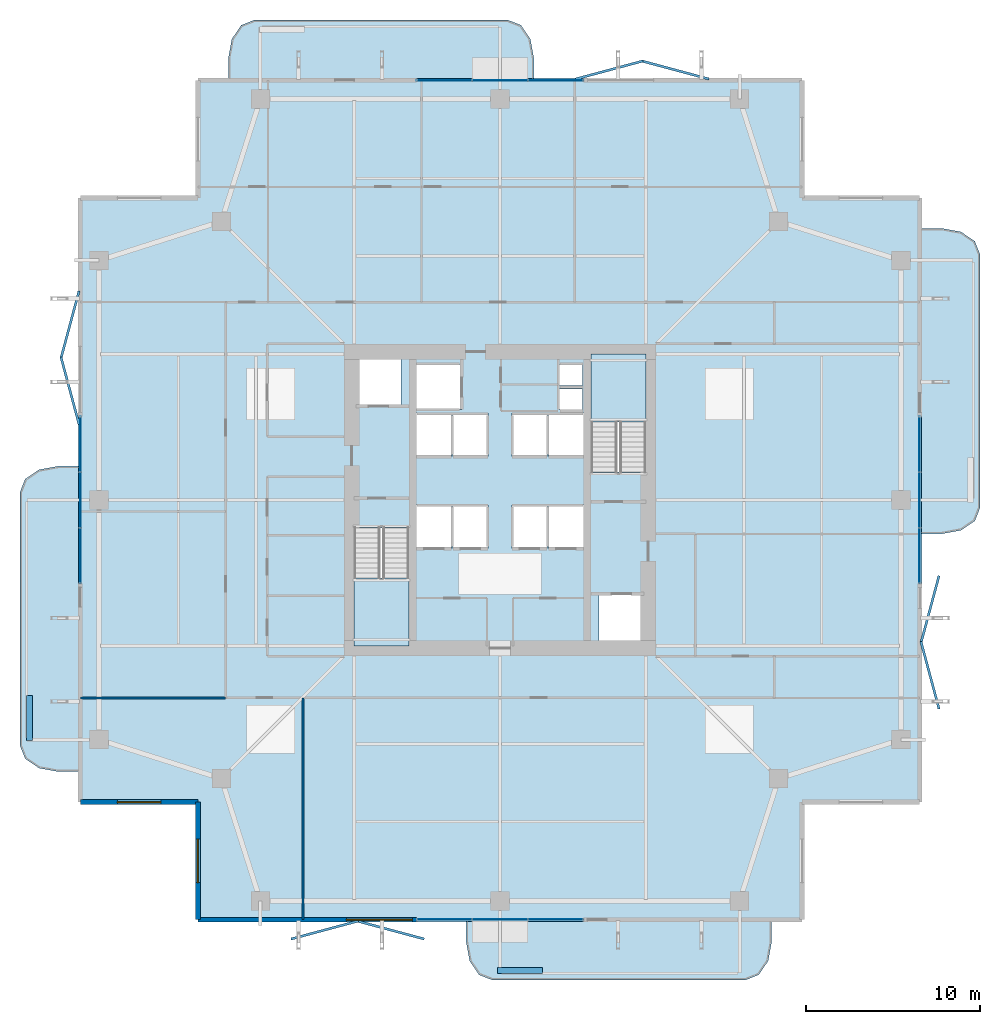
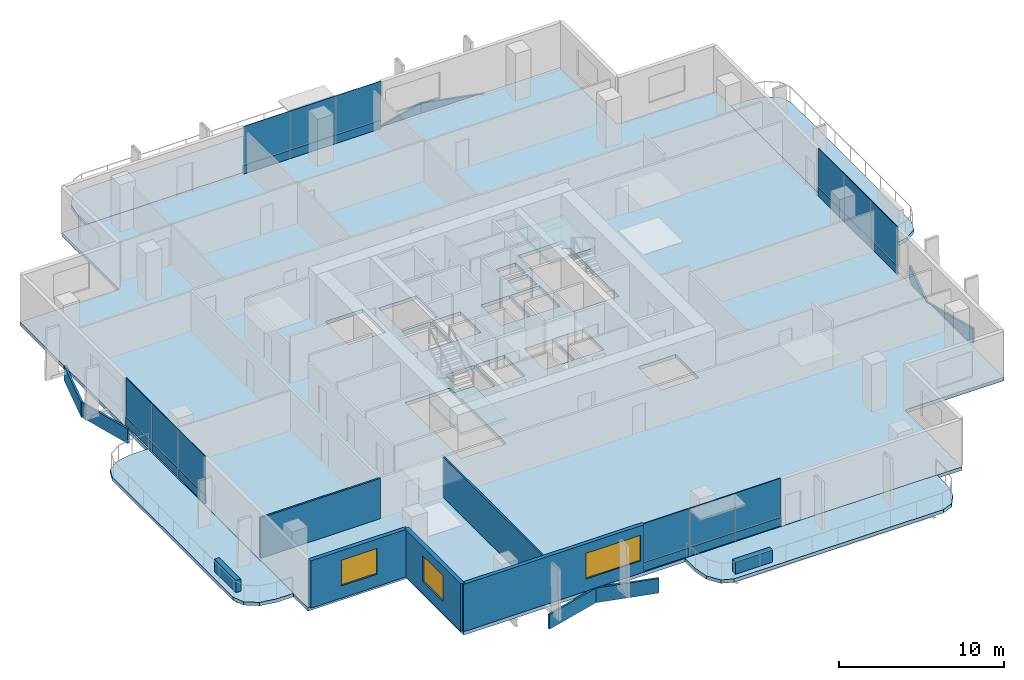
# One storey, part 17 of 25: 32 plates, 7 slabs, 7 walls, 3 windows, 3 openings, 6 elements without a shape of their own.
"""IFC4 building model written with IfcOpenShell, lengths in metres."""

from ifc_helpers import new_model, si_unit, direction, frame, frame_2d, origin, origin_2d, place, context, subcontext, project, spatial, polyline, rectangle, outline, extrude, material, layer, layer_set, type_object, element, fill, aggregate, save


model = new_model("IFC4")

# Units and contexts
model_context = context("Model", 3, precision=1e-05, world=origin(), true_north=direction((0.0, 1.0)))
body_context = subcontext(model_context, "Body", "Model", "MODEL_VIEW")
ifc_project = project(units=[si_unit("LENGTHUNIT", "METRE"), si_unit("AREAUNIT", "SQUARE_METRE"), si_unit("VOLUMEUNIT", "CUBIC_METRE"), si_unit("PLANEANGLEUNIT", "RADIAN"), si_unit("MASSUNIT", "GRAM", prefix="KILO")], contexts=[model_context])

# Site, building, storey
site_placement = place(None, origin())
site = spatial("IfcSite", under=ifc_project, at=site_placement, CompositionType="ELEMENT")
building_placement = place(site_placement, origin())
building = spatial("IfcBuilding", under=site, at=building_placement, Name="Belovzor Exchange Tower", CompositionType="ELEMENT")
storey_placement = place(building_placement, frame((0.0, 0.0, 164.550048828125)))
storey = spatial("IfcBuildingStorey", under=building, at=storey_placement, Name="L40", CompositionType="ELEMENT", Elevation=164.550048828125)

# Slab
ifc_material_1 = material(Name="Concrete C40/50", Category="concrete")
ifc_layer_1 = layer(ifc_material_1, 0.2548828125)
ifc_layer_set_1 = layer_set([ifc_layer_1], Name="Concrete C40/50")
slab_type_1 = type_object("IfcSlabType", Name="Composite Waist Floor Deck Slab 255", PredefinedType="FLOOR", material=ifc_layer_set_1)
slab_1_placement = place(storey_placement, frame((0.0, 0.0, -0.255126953125)))
element("IfcSlab", 1, at=slab_1_placement, inside=storey, type_object=slab_type_1, Name="SL-F255 Structural Slab L40", PredefinedType="FLOOR", context=body_context, shape_type="SweptSolid", body=[
    extrude(outline(polyline([(11.39990234375, 4.5), (46.199951171875, 4.5), (46.199951171875, 11.39990234375), (53.10009765625, 11.39990234375), (53.10009765625, 46.199951171875), (46.199951171875, 46.199951171875), (46.199951171875, 53.10009765625), (11.39990234375, 53.10009765625), (11.39990234375, 46.199951171875), (4.5, 46.199951171875), (4.5, 11.39990234375), (11.39990234375, 11.39990234375), (11.39990234375, 4.5)]), holes=[polyline([(20.39990234375, 27.175048828125), (20.39990234375, 20.39990234375), (23.550048828125, 20.39990234375), (23.550048828125, 27.175048828125), (20.39990234375, 27.175048828125)]), polyline([(37.199951171875, 30.425048828125), (37.199951171875, 37.199951171875), (34.050048828125, 37.199951171875), (34.050048828125, 30.425048828125), (37.199951171875, 30.425048828125)]), polyline([(20.5, 34.199951171875), (23.10009765625, 34.199951171875), (23.10009765625, 37.0), (20.5, 37.0), (20.5, 34.199951171875)]), polyline([(34.5, 20.60009765625), (37.10009765625, 20.60009765625), (37.10009765625, 23.39990234375), (34.5, 23.39990234375), (34.5, 20.60009765625)]), polyline([(24.0, 34.0), (26.60009765625, 34.0), (26.60009765625, 36.60009765625), (24.0, 36.60009765625), (24.0, 34.0)]), polyline([(24.0, 26.0), (26.0, 26.0), (26.0, 28.5), (24.0, 28.5), (24.0, 26.0)]), polyline([(26.10009765625, 26.0), (28.10009765625, 26.0), (28.10009765625, 28.5), (26.10009765625, 28.5), (26.10009765625, 26.0)]), polyline([(29.5, 26.0), (31.5, 26.0), (31.5, 28.5), (29.5, 28.5), (29.5, 26.0)]), polyline([(31.60009765625, 26.0), (33.60009765625, 26.0), (33.60009765625, 28.5), (31.60009765625, 28.5), (31.60009765625, 26.0)]), polyline([(24.0, 31.300048828125), (26.0, 31.300048828125), (26.0, 33.800048828125), (24.0, 33.800048828125), (24.0, 31.300048828125)]), polyline([(26.10009765625, 31.300048828125), (28.10009765625, 31.300048828125), (28.10009765625, 33.800048828125), (26.10009765625, 33.800048828125), (26.10009765625, 31.300048828125)]), polyline([(29.5, 31.300048828125), (31.5, 31.300048828125), (31.5, 33.800048828125), (29.5, 33.800048828125), (29.5, 31.300048828125)]), polyline([(31.60009765625, 31.300048828125), (33.60009765625, 31.300048828125), (33.60009765625, 33.800048828125), (31.60009765625, 33.800048828125), (31.60009765625, 31.300048828125)]), polyline([(32.199951171875, 34.0), (33.550048828125, 34.0), (33.550048828125, 35.199951171875), (32.199951171875, 35.199951171875), (32.199951171875, 34.0)]), polyline([(32.199951171875, 35.39990234375), (33.550048828125, 35.39990234375), (33.550048828125, 36.60009765625), (32.199951171875, 36.60009765625), (32.199951171875, 35.39990234375)])]), origin(), (0.0, 0.0, 1.0), 0.255126953125),
])

# Curtain wall, plates
ifc_material_2 = material(Name="Anodised Aluminium Framing", Category="aluminium")
ifc_layer_2 = layer(ifc_material_2, 0.179931640625)
ifc_layer_set_2 = layer_set([ifc_layer_2], Name="Anodised Aluminium Framing")
curtain_wall_type = type_object("IfcCurtainWallType", Name="Recessed Loggia Low-Iron Triple-Glazed Curtain Wall", PredefinedType="NOTDEFINED", material=ifc_layer_set_2)
curtain_wall_1_placement = place(storey_placement, origin())
curtain_wall_1 = element("IfcCurtainWall", 2, at=curtain_wall_1_placement, inside=storey, type_object=curtain_wall_type, Name="CW3 Recessed Loggia Low-Iron Triple-Glazed Curtain Wall L40", PredefinedType="NOTDEFINED")
ifc_material_3 = material(Name="Solar-Control Triple Glazing", Category="glass")
ifc_layer_3 = layer(ifc_material_3, 0.0439453125)
ifc_layer_set_3 = layer_set([ifc_layer_3], Name="Solar-Control Triple Glazing")
plate_type_1 = type_object("IfcPlateType", Name="Insulated Solar Glazing Curtain Panel 44", PredefinedType="CURTAIN_PANEL", material=ifc_layer_set_3)
plate_1_placement = place(storey_placement, frame((32.0, 4.6298828125, 0.630859375), z_axis=(0.0, 0.0, 1.0), x_axis=(-1.0, 0.0, 0.0)))
plate_1 = element("IfcPlate", 3, at=plate_1_placement, type_object=plate_type_1, Name="GLZ-44 Glazed Curtain Panel 1", PredefinedType="CURTAIN_PANEL", context=body_context, shape_type="SweptSolid", body=[
    extrude(rectangle(XDim=3.18408203125, YDim=0.0439453125, at=origin_2d()), origin(), (0.0, 0.0, 1.0), 2.864013671875),
])
plate_2_placement = place(storey_placement, frame((28.800048828125, 4.6298828125, 0.630859375), z_axis=(0.0, 0.0, 1.0), x_axis=(-1.0, 0.0, 0.0)))
plate_2 = element("IfcPlate", 4, at=plate_2_placement, type_object=plate_type_1, Name="GLZ-44 Glazed Curtain Panel 2", PredefinedType="CURTAIN_PANEL", context=body_context, shape_type="SweptSolid", body=[
    extrude(rectangle(XDim=3.18408203125, YDim=0.0439453125, at=origin_2d()), origin(), (0.0, 0.0, 1.0), 2.864013671875),
])
plate_3_placement = place(storey_placement, frame((25.60009765625, 4.6298828125, 0.630859375), z_axis=(0.0, 0.0, 1.0), x_axis=(-1.0, 0.0, 0.0)))
plate_3 = element("IfcPlate", 5, at=plate_3_placement, type_object=plate_type_1, Name="GLZ-44 Glazed Curtain Panel 3", PredefinedType="CURTAIN_PANEL", context=body_context, shape_type="SweptSolid", body=[
    extrude(rectangle(XDim=3.18408203125, YDim=0.0439453125, at=origin_2d()), origin(), (0.0, 0.0, 1.0), 2.864013671875),
])

curtain_wall_2_placement = place(storey_placement, origin())
curtain_wall_2 = element("IfcCurtainWall", 6, at=curtain_wall_2_placement, inside=storey, type_object=curtain_wall_type, Name="CW3 Recessed Loggia Low-Iron Triple-Glazed Curtain Wall L40", PredefinedType="NOTDEFINED")
plate_4_placement = place(storey_placement, frame((25.60009765625, 52.969970703125, 0.630859375), z_axis=(0.0, 0.0, 1.0), x_axis=(1.0, 0.0, 0.0)))
plate_4 = element("IfcPlate", 7, at=plate_4_placement, type_object=plate_type_1, Name="GLZ-44 Glazed Curtain Panel 1", PredefinedType="CURTAIN_PANEL", context=body_context, shape_type="SweptSolid", body=[
    extrude(rectangle(XDim=3.18408203125, YDim=0.0439453125, at=origin_2d()), origin(), (0.0, 0.0, 1.0), 2.864013671875),
])
plate_5_placement = place(storey_placement, frame((28.800048828125, 52.969970703125, 0.630859375), z_axis=(0.0, 0.0, 1.0), x_axis=(1.0, 0.0, 0.0)))
plate_5 = element("IfcPlate", 8, at=plate_5_placement, type_object=plate_type_1, Name="GLZ-44 Glazed Curtain Panel 2", PredefinedType="CURTAIN_PANEL", context=body_context, shape_type="SweptSolid", body=[
    extrude(rectangle(XDim=3.18408203125, YDim=0.0439453125, at=origin_2d()), origin(), (0.0, 0.0, 1.0), 2.864013671875),
])
plate_6_placement = place(storey_placement, frame((32.0, 52.969970703125, 0.630859375), z_axis=(0.0, 0.0, 1.0), x_axis=(1.0, 0.0, 0.0)))
plate_6 = element("IfcPlate", 9, at=plate_6_placement, type_object=plate_type_1, Name="GLZ-44 Glazed Curtain Panel 3", PredefinedType="CURTAIN_PANEL", context=body_context, shape_type="SweptSolid", body=[
    extrude(rectangle(XDim=3.18408203125, YDim=0.0439453125, at=origin_2d()), origin(), (0.0, 0.0, 1.0), 2.864013671875),
])

curtain_wall_3_placement = place(storey_placement, origin())
curtain_wall_3 = element("IfcCurtainWall", 10, at=curtain_wall_3_placement, inside=storey, type_object=curtain_wall_type, Name="CW3 Recessed Loggia Low-Iron Triple-Glazed Curtain Wall L40", PredefinedType="NOTDEFINED")
plate_7_placement = place(storey_placement, frame((4.6298828125, 25.60009765625, 0.630859375), z_axis=(0.0, 0.0, 1.0), x_axis=(0.0, 1.0, 0.0)))
plate_7 = element("IfcPlate", 11, at=plate_7_placement, type_object=plate_type_1, Name="GLZ-44 Glazed Curtain Panel 1", PredefinedType="CURTAIN_PANEL", context=body_context, shape_type="SweptSolid", body=[
    extrude(rectangle(XDim=3.18408203125, YDim=0.0439453125, at=origin_2d()), origin(), (0.0, 0.0, 1.0), 2.864013671875),
])
plate_8_placement = place(storey_placement, frame((4.6298828125, 28.800048828125, 0.630859375), z_axis=(0.0, 0.0, 1.0), x_axis=(0.0, 1.0, 0.0)))
plate_8 = element("IfcPlate", 12, at=plate_8_placement, type_object=plate_type_1, Name="GLZ-44 Glazed Curtain Panel 2", PredefinedType="CURTAIN_PANEL", context=body_context, shape_type="SweptSolid", body=[
    extrude(rectangle(XDim=3.18408203125, YDim=0.0439453125, at=origin_2d()), origin(), (0.0, 0.0, 1.0), 2.864013671875),
])
plate_9_placement = place(storey_placement, frame((4.6298828125, 32.0, 0.630859375), z_axis=(0.0, 0.0, 1.0), x_axis=(0.0, 1.0, 0.0)))
plate_9 = element("IfcPlate", 13, at=plate_9_placement, type_object=plate_type_1, Name="GLZ-44 Glazed Curtain Panel 3", PredefinedType="CURTAIN_PANEL", context=body_context, shape_type="SweptSolid", body=[
    extrude(rectangle(XDim=3.18408203125, YDim=0.0439453125, at=origin_2d()), origin(), (0.0, 0.0, 1.0), 2.864013671875),
])

curtain_wall_4_placement = place(storey_placement, origin())
curtain_wall_4 = element("IfcCurtainWall", 14, at=curtain_wall_4_placement, inside=storey, type_object=curtain_wall_type, Name="CW3 Recessed Loggia Low-Iron Triple-Glazed Curtain Wall L40", PredefinedType="NOTDEFINED")
plate_10_placement = place(storey_placement, frame((52.969970703125, 32.0, 0.630859375), z_axis=(0.0, 0.0, 1.0), x_axis=(0.0, -1.0, 0.0)))
plate_10 = element("IfcPlate", 15, at=plate_10_placement, type_object=plate_type_1, Name="GLZ-44 Glazed Curtain Panel 1", PredefinedType="CURTAIN_PANEL", context=body_context, shape_type="SweptSolid", body=[
    extrude(rectangle(XDim=3.18408203125, YDim=0.0439453125, at=origin_2d()), origin(), (0.0, 0.0, 1.0), 2.864013671875),
])
plate_11_placement = place(storey_placement, frame((52.969970703125, 28.800048828125, 0.630859375), z_axis=(0.0, 0.0, 1.0), x_axis=(0.0, -1.0, 0.0)))
plate_11 = element("IfcPlate", 16, at=plate_11_placement, type_object=plate_type_1, Name="GLZ-44 Glazed Curtain Panel 2", PredefinedType="CURTAIN_PANEL", context=body_context, shape_type="SweptSolid", body=[
    extrude(rectangle(XDim=3.18408203125, YDim=0.0439453125, at=origin_2d()), origin(), (0.0, 0.0, 1.0), 2.864013671875),
])
plate_12_placement = place(storey_placement, frame((52.969970703125, 25.60009765625, 0.630859375), z_axis=(0.0, 0.0, 1.0), x_axis=(0.0, -1.0, 0.0)))
plate_12 = element("IfcPlate", 17, at=plate_12_placement, type_object=plate_type_1, Name="GLZ-44 Glazed Curtain Panel 3", PredefinedType="CURTAIN_PANEL", context=body_context, shape_type="SweptSolid", body=[
    extrude(rectangle(XDim=3.18408203125, YDim=0.0439453125, at=origin_2d()), origin(), (0.0, 0.0, 1.0), 2.864013671875),
])

# Plates
ifc_material_4 = material(Name="Extruded Architectural Terracotta", Category="masonry")
ifc_layer_4 = layer(ifc_material_4, 0.139892578125)
ifc_layer_set_4 = layer_set([ifc_layer_4], Name="Extruded Architectural Terracotta")
plate_type_2 = type_object("IfcPlateType", Name="Mid-Tower Folded Zigzag Terracotta Spandrel Louvre 120", PredefinedType="USERDEFINED", material=ifc_layer_set_4)
for number, where, z_axis, x_axis, name in (
    (18, (18.699951171875, 4.030029296875, -1.065185546875), (0.0, 0.0, 1.0), (0.965812803231, 0.259240485101, 0.0), "LVR-ZZ2 Zigzag Terracotta Spandrel Louvre L40 S1A"),
    (19, (22.5, 4.030029296875, -1.065185546875), (0.0, 0.0, 1.0), (0.965812803231, -0.259240485101, 0.0), "LVR-ZZ2 Zigzag Terracotta Spandrel Louvre L40 S1B"),
    (20, (53.570068359375, 18.699951171875, -1.065185546875), (0.0, 0.0, 1.0), (-0.259240485101, 0.965812803231, 0.0), "LVR-ZZ2 Zigzag Terracotta Spandrel Louvre L40 E1A"),
    (21, (53.570068359375, 22.5, -1.065185546875), (0.0, 0.0, 1.0), (0.259240485101, 0.965812803231, 0.0), "LVR-ZZ2 Zigzag Terracotta Spandrel Louvre L40 E1B"),
    (22, (35.10009765625, 53.570068359375, -1.065185546875), (0.0, 0.0, 1.0), (0.965812803231, 0.259240485101, 0.0), "LVR-ZZ2 Zigzag Terracotta Spandrel Louvre L40 N2A"),
    (23, (38.89990234375, 53.570068359375, -1.065185546875), (0.0, 0.0, 1.0), (0.965812803231, -0.259240485101, 0.0), "LVR-ZZ2 Zigzag Terracotta Spandrel Louvre L40 N2B"),
    (24, (4.030029296875, 35.10009765625, -1.065185546875), (0.0, 0.0, 1.0), (-0.259240485101, 0.965812803231, 0.0), "LVR-ZZ2 Zigzag Terracotta Spandrel Louvre L40 W2A"),
    (25, (4.030029296875, 38.89990234375, -1.065185546875), (0.0, 0.0, 1.0), (0.259240485101, 0.965812803231, 0.0), "LVR-ZZ2 Zigzag Terracotta Spandrel Louvre L40 W2B"),
):
    element("IfcPlate", number, at=place(storey_placement, frame(where, z_axis=z_axis, x_axis=x_axis)), inside=storey, type_object=plate_type_2, Name=name, ObjectType="SPANDREL_LOUVRE", PredefinedType="USERDEFINED", context=body_context, shape_type="SweptSolid", body=[
        extrude(rectangle(XDim=4.014892578125, YDim=0.139892578125, at=origin_2d()), origin(), (0.0, 0.0, 1.0), 1.080078125),
    ])

# Stair, slab
ifc_material_5 = material(Name="Concrete C40/50", Category="concrete")
stair_type = type_object("IfcStairType", Name="Reinforced Concrete Dogleg Escape Stair 1350", PredefinedType="HALF_TURN_STAIR", material=ifc_material_5)
stair_1_placement = place(storey_placement, origin())
stair_1 = element("IfcStair", 26, at=stair_1_placement, inside=storey, type_object=stair_type, Name="L40 ST-1", PredefinedType="HALF_TURN_STAIR")
ifc_material_6 = material(Name="Concrete C40/50", Category="concrete")
ifc_layer_5 = layer(ifc_material_6, 0.199951171875)
ifc_layer_set_5 = layer_set([ifc_layer_5], Name="Concrete C40/50")
slab_type_2 = type_object("IfcSlabType", Name="Reinforced Concrete Stair Half-Landing Slab 200", PredefinedType="LANDING", material=ifc_layer_set_5)
slab_2_placement = place(storey_placement, frame((0.0, 0.0, 1.675048828125)))
slab_2 = element("IfcSlab", 27, at=slab_2_placement, type_object=slab_type_2, Name="ST-1 landing 1", PredefinedType="LANDING", context=body_context, shape_type="SweptSolid", body=[
    extrude(outline(polyline([(20.39990234375, 24.300048828125), (20.39990234375, 20.39990234375), (23.550048828125, 20.39990234375), (23.550048828125, 24.300048828125), (20.39990234375, 24.300048828125)])), origin(), (0.0, 0.0, 1.0), 0.199951171875),
])
aggregate(stair_1, [slab_2])

stair_2_placement = place(storey_placement, origin())
stair_2 = element("IfcStair", 28, at=stair_2_placement, inside=storey, type_object=stair_type, Name="L40 ST-2", PredefinedType="HALF_TURN_STAIR")
slab_3_placement = place(storey_placement, frame((0.0, 0.0, 1.675048828125)))
slab_3 = element("IfcSlab", 29, at=slab_3_placement, type_object=slab_type_2, Name="ST-2 landing 1", PredefinedType="LANDING", context=body_context, shape_type="SweptSolid", body=[
    extrude(outline(polyline([(37.199951171875, 33.300048828125), (37.199951171875, 37.199951171875), (34.050048828125, 37.199951171875), (34.050048828125, 33.300048828125), (37.199951171875, 33.300048828125)])), origin(), (0.0, 0.0, 1.0), 0.199951171875),
])
aggregate(stair_2, [slab_3])

# Plate
ifc_material_7 = material(Name="Extruded Architectural Terracotta", Category="masonry")
ifc_layer_6 = layer(ifc_material_7, 0.090087890625)
ifc_layer_set_6 = layer_set([ifc_layer_6], Name="Extruded Architectural Terracotta")
plate_type_3 = type_object("IfcPlateType", Name="Terracotta Shadow-Box Spandrel Panel 90", PredefinedType="CURTAIN_PANEL", material=ifc_layer_set_6)
plate_13_placement = place(storey_placement, frame((32.0, 4.6298828125, 0.00048828125), z_axis=(0.0, 0.0, 1.0), x_axis=(-1.0, 0.0, 0.0)))
plate_13 = element("IfcPlate", 30, at=plate_13_placement, type_object=plate_type_3, Name="SPD-90 Spandrel Panel 1", PredefinedType="CURTAIN_PANEL", context=body_context, shape_type="SweptSolid", body=[
    extrude(rectangle(XDim=3.18408203125, YDim=0.090087890625, at=origin_2d()), origin(), (0.0, 0.0, 1.0), 0.626953125),
])

plate_14_placement = place(storey_placement, frame((28.800048828125, 4.6298828125, 0.00048828125), z_axis=(0.0, 0.0, 1.0), x_axis=(-1.0, 0.0, 0.0)))
plate_14 = element("IfcPlate", 31, at=plate_14_placement, type_object=plate_type_3, Name="SPD-90 Spandrel Panel 2", PredefinedType="CURTAIN_PANEL", context=body_context, shape_type="SweptSolid", body=[
    extrude(rectangle(XDim=3.18408203125, YDim=0.090087890625, at=origin_2d()), origin(), (0.0, 0.0, 1.0), 0.626953125),
])

plate_15_placement = place(storey_placement, frame((25.60009765625, 4.6298828125, 0.00048828125), z_axis=(0.0, 0.0, 1.0), x_axis=(-1.0, 0.0, 0.0)))
plate_15 = element("IfcPlate", 32, at=plate_15_placement, type_object=plate_type_3, Name="SPD-90 Spandrel Panel 3", PredefinedType="CURTAIN_PANEL", context=body_context, shape_type="SweptSolid", body=[
    extrude(rectangle(XDim=3.18408203125, YDim=0.090087890625, at=origin_2d()), origin(), (0.0, 0.0, 1.0), 0.626953125),
])

aggregate(curtain_wall_1, [plate_13, plate_1, plate_14, plate_2, plate_15, plate_3])

plate_16_placement = place(storey_placement, frame((25.60009765625, 52.969970703125, 0.00048828125), z_axis=(0.0, 0.0, 1.0), x_axis=(1.0, 0.0, 0.0)))
plate_16 = element("IfcPlate", 33, at=plate_16_placement, type_object=plate_type_3, Name="SPD-90 Spandrel Panel 1", PredefinedType="CURTAIN_PANEL", context=body_context, shape_type="SweptSolid", body=[
    extrude(rectangle(XDim=3.18408203125, YDim=0.090087890625, at=origin_2d()), origin(), (0.0, 0.0, 1.0), 0.626953125),
])

plate_17_placement = place(storey_placement, frame((28.800048828125, 52.969970703125, 0.00048828125), z_axis=(0.0, 0.0, 1.0), x_axis=(1.0, 0.0, 0.0)))
plate_17 = element("IfcPlate", 34, at=plate_17_placement, type_object=plate_type_3, Name="SPD-90 Spandrel Panel 2", PredefinedType="CURTAIN_PANEL", context=body_context, shape_type="SweptSolid", body=[
    extrude(rectangle(XDim=3.18408203125, YDim=0.090087890625, at=origin_2d()), origin(), (0.0, 0.0, 1.0), 0.626953125),
])

plate_18_placement = place(storey_placement, frame((32.0, 52.969970703125, 0.00048828125), z_axis=(0.0, 0.0, 1.0), x_axis=(1.0, 0.0, 0.0)))
plate_18 = element("IfcPlate", 35, at=plate_18_placement, type_object=plate_type_3, Name="SPD-90 Spandrel Panel 3", PredefinedType="CURTAIN_PANEL", context=body_context, shape_type="SweptSolid", body=[
    extrude(rectangle(XDim=3.18408203125, YDim=0.090087890625, at=origin_2d()), origin(), (0.0, 0.0, 1.0), 0.626953125),
])

aggregate(curtain_wall_2, [plate_16, plate_4, plate_17, plate_5, plate_18, plate_6])

plate_19_placement = place(storey_placement, frame((4.6298828125, 25.60009765625, 0.00048828125), z_axis=(0.0, 0.0, 1.0), x_axis=(0.0, 1.0, 0.0)))
plate_19 = element("IfcPlate", 36, at=plate_19_placement, type_object=plate_type_3, Name="SPD-90 Spandrel Panel 1", PredefinedType="CURTAIN_PANEL", context=body_context, shape_type="SweptSolid", body=[
    extrude(rectangle(XDim=3.18408203125, YDim=0.090087890625, at=origin_2d()), origin(), (0.0, 0.0, 1.0), 0.626953125),
])

plate_20_placement = place(storey_placement, frame((4.6298828125, 28.800048828125, 0.00048828125), z_axis=(0.0, 0.0, 1.0), x_axis=(0.0, 1.0, 0.0)))
plate_20 = element("IfcPlate", 37, at=plate_20_placement, type_object=plate_type_3, Name="SPD-90 Spandrel Panel 2", PredefinedType="CURTAIN_PANEL", context=body_context, shape_type="SweptSolid", body=[
    extrude(rectangle(XDim=3.18408203125, YDim=0.090087890625, at=origin_2d()), origin(), (0.0, 0.0, 1.0), 0.626953125),
])

plate_21_placement = place(storey_placement, frame((4.6298828125, 32.0, 0.00048828125), z_axis=(0.0, 0.0, 1.0), x_axis=(0.0, 1.0, 0.0)))
plate_21 = element("IfcPlate", 38, at=plate_21_placement, type_object=plate_type_3, Name="SPD-90 Spandrel Panel 3", PredefinedType="CURTAIN_PANEL", context=body_context, shape_type="SweptSolid", body=[
    extrude(rectangle(XDim=3.18408203125, YDim=0.090087890625, at=origin_2d()), origin(), (0.0, 0.0, 1.0), 0.626953125),
])

aggregate(curtain_wall_3, [plate_19, plate_7, plate_20, plate_8, plate_21, plate_9])

plate_22_placement = place(storey_placement, frame((52.969970703125, 32.0, 0.00048828125), z_axis=(0.0, 0.0, 1.0), x_axis=(0.0, -1.0, 0.0)))
plate_22 = element("IfcPlate", 39, at=plate_22_placement, type_object=plate_type_3, Name="SPD-90 Spandrel Panel 1", PredefinedType="CURTAIN_PANEL", context=body_context, shape_type="SweptSolid", body=[
    extrude(rectangle(XDim=3.18408203125, YDim=0.090087890625, at=origin_2d()), origin(), (0.0, 0.0, 1.0), 0.626953125),
])

plate_23_placement = place(storey_placement, frame((52.969970703125, 28.800048828125, 0.00048828125), z_axis=(0.0, 0.0, 1.0), x_axis=(0.0, -1.0, 0.0)))
plate_23 = element("IfcPlate", 40, at=plate_23_placement, type_object=plate_type_3, Name="SPD-90 Spandrel Panel 2", PredefinedType="CURTAIN_PANEL", context=body_context, shape_type="SweptSolid", body=[
    extrude(rectangle(XDim=3.18408203125, YDim=0.090087890625, at=origin_2d()), origin(), (0.0, 0.0, 1.0), 0.626953125),
])

plate_24_placement = place(storey_placement, frame((52.969970703125, 25.60009765625, 0.00048828125), z_axis=(0.0, 0.0, 1.0), x_axis=(0.0, -1.0, 0.0)))
plate_24 = element("IfcPlate", 41, at=plate_24_placement, type_object=plate_type_3, Name="SPD-90 Spandrel Panel 3", PredefinedType="CURTAIN_PANEL", context=body_context, shape_type="SweptSolid", body=[
    extrude(rectangle(XDim=3.18408203125, YDim=0.090087890625, at=origin_2d()), origin(), (0.0, 0.0, 1.0), 0.626953125),
])

aggregate(curtain_wall_4, [plate_22, plate_10, plate_23, plate_11, plate_24, plate_12])

# Slabs
ifc_material_8 = material(Name="Concrete C40/50", Category="concrete")
ifc_layer_7 = layer(ifc_material_8, 0.25)
ifc_layer_set_7 = layer_set([ifc_layer_7], Name="Concrete C40/50")
slab_type_3 = type_object("IfcSlabType", Name="Thermally Broken Planted Balcony Slab 250", PredefinedType="FLOOR", material=ifc_layer_set_7)
slab_4_placement = place(storey_placement, frame((0.0, 0.0, -0.25)))
element("IfcSlab", 42, at=slab_4_placement, inside=storey, type_object=slab_type_3, Name="SL-BAL220 Planted Balcony Loggia L40 South", PredefinedType="FLOOR", context=body_context, shape_type="SweptSolid", body=[
    extrude(outline(polyline([(26.85009765625, 4.514892578125), (26.85009765625, 3.35009765625), (27.051025390625, 2.25), (27.60009765625, 1.445068359375), (28.35009765625, 1.14990234375), (42.949951171875, 1.14990234375), (43.699951171875, 1.445068359375), (44.2490234375, 2.25), (44.449951171875, 3.35009765625), (44.449951171875, 4.514892578125), (26.85009765625, 4.514892578125)])), origin(), (0.0, 0.0, 1.0), 0.25),
])
slab_5_placement = place(storey_placement, frame((0.0, 0.0, -0.25)))
element("IfcSlab", 43, at=slab_5_placement, inside=storey, type_object=slab_type_3, Name="SL-BAL220 Planted Balcony Loggia L40 North", PredefinedType="FLOOR", context=body_context, shape_type="SweptSolid", body=[
    extrude(outline(polyline([(30.75, 53.0849609375), (30.75, 54.25), (30.549072265625, 55.35009765625), (30.0, 56.155029296875), (29.25, 56.449951171875), (14.64990234375, 56.449951171875), (13.89990234375, 56.155029296875), (13.35107421875, 55.35009765625), (13.14990234375, 54.25), (13.14990234375, 53.0849609375), (30.75, 53.0849609375)])), origin(), (0.0, 0.0, 1.0), 0.25),
])
slab_6_placement = place(storey_placement, frame((0.0, 0.0, -0.25)))
element("IfcSlab", 44, at=slab_6_placement, inside=storey, type_object=slab_type_3, Name="SL-BAL220 Planted Balcony Loggia L40 East", PredefinedType="FLOOR", context=body_context, shape_type="SweptSolid", body=[
    extrude(outline(polyline([(53.0849609375, 26.85009765625), (54.25, 26.85009765625), (55.35009765625, 27.051025390625), (56.155029296875, 27.60009765625), (56.449951171875, 28.35009765625), (56.449951171875, 42.949951171875), (56.155029296875, 43.699951171875), (55.35009765625, 44.2490234375), (54.25, 44.449951171875), (53.0849609375, 44.449951171875), (53.0849609375, 26.85009765625)])), origin(), (0.0, 0.0, 1.0), 0.25),
])
slab_7_placement = place(storey_placement, frame((0.0, 0.0, -0.25)))
element("IfcSlab", 45, at=slab_7_placement, inside=storey, type_object=slab_type_3, Name="SL-BAL220 Planted Balcony Loggia L40 West", PredefinedType="FLOOR", context=body_context, shape_type="SweptSolid", body=[
    extrude(outline(polyline([(4.514892578125, 30.75), (3.35009765625, 30.75), (2.25, 30.549072265625), (1.445068359375, 30.0), (1.14990234375, 29.25), (1.14990234375, 14.64990234375), (1.445068359375, 13.89990234375), (2.25, 13.35107421875), (3.35009765625, 13.14990234375), (4.514892578125, 13.14990234375), (4.514892578125, 30.75)])), origin(), (0.0, 0.0, 1.0), 0.25),
])

# Walls
ifc_material_9 = material(Name="Acoustic Plasterboard on Galvanised Studs", Category="gypsum")
ifc_layer_8 = layer(ifc_material_9, 0.1201171875)
ifc_layer_set_8 = layer_set([ifc_layer_8], Name="Acoustic Plasterboard on Galvanised Studs")
wall_type_1 = type_object("IfcWallType", Name="Acoustic Double-Stud Partition Wall 120", PredefinedType="PARTITIONING", material=ifc_layer_set_8)
wall_1_placement = place(storey_placement, frame((17.4599609375, 4.6298828125, 0.0), z_axis=(0.0, 0.0, 1.0), x_axis=(0.0, 1.0, 0.0)))
element("IfcWall", 46, at=wall_1_placement, inside=storey, type_object=wall_type_1, Name="W-P120 Partition Wall W-L40-SDIV-1", PredefinedType="PARTITIONING", context=body_context, shape_type="SweptSolid", body=[
    extrude(rectangle(XDim=12.77001953125, YDim=0.1201171875, at=frame_2d((6.385009765625, 0.0))), origin(), (0.0, 0.0, 1.0), 2.97998046875),
])
wall_2_placement = place(storey_placement, frame((4.6298828125, 17.39990234375, 0.0), z_axis=(0.0, 0.0, 1.0), x_axis=(1.0, 0.0, 0.0)))
element("IfcWall", 47, at=wall_2_placement, inside=storey, type_object=wall_type_1, Name="W-P120 Partition Wall W-L40-END-SW", PredefinedType="PARTITIONING", context=body_context, shape_type="SweptSolid", body=[
    extrude(rectangle(XDim=8.3701171875, YDim=0.1201171875, at=frame_2d((4.18505859375, 0.0))), origin(), (0.0, 0.0, 1.0), 2.97998046875),
])

# Wall, opening, window
ifc_material_10 = material(Name="Precast concrete C40/50", Category="concrete")
ifc_layer_9 = layer(ifc_material_10, 0.280029296875)
ifc_layer_set_9 = layer_set([ifc_layer_9], Name="Precast concrete C40/50")
wall_type_2 = type_object("IfcWallType", Name="Precast Concrete Notched Corner Frame Wall 280", PredefinedType="SOLIDWALL", material=ifc_layer_set_9)
wall_3_placement = place(storey_placement, frame((11.39990234375, 4.6298828125, 0.0), z_axis=(0.0, 0.0, 1.0), x_axis=(0.0, 1.0, 0.0)))
wall_3 = element("IfcWall", 48, at=wall_3_placement, inside=storey, type_object=wall_type_2, Name="W-CRN280 Precast Concrete Notched Corner Frame Wall 280 L40", PredefinedType="SOLIDWALL", context=body_context, shape_type="SweptSolid", body=[
    extrude(rectangle(XDim=6.77001953125, YDim=0.280029296875, at=frame_2d((3.385009765625, 0.0))), origin(), (0.0, 0.0, 1.0), 3.494873046875),
])
opening_1_placement = place(wall_3_placement, frame((2.135009765625, 0.0, 0.89990234375)))
opening_1 = element("IfcOpeningElement", 49, at=opening_1_placement, cuts=wall_3, Name="Opening WN-CRN250", PredefinedType="OPENING", context=body_context, shape_type="SweptSolid", body=[
    extrude(rectangle(XDim=2.5, YDim=1.89990234375, at=frame_2d((1.25, 0.949951171875))), frame((0.0, 0.14990234375, 0.0), z_axis=(0.0, -1.0, 0.0), x_axis=(1.0, 0.0, 0.0)), (0.0, 0.0, 1.0), 0.300048828125),
])
ifc_material_11 = material(Name="Thermally Broken Aluminium and Triple Glazing", Category="aluminium")
window_type_1 = type_object("IfcWindowType", Name="Streamline Moderne Corner Wrap Ribbon Window 2500x1900", PartitioningType="SINGLE_PANEL", PredefinedType="WINDOW", material=ifc_material_11)
window_1_placement = place(opening_1_placement, origin())
window_1 = element("IfcWindow", 50, at=window_1_placement, inside=storey, type_object=window_type_1, Name="WN-CRN250 Streamline Moderne Corner Wrap Ribbon Window 2500x1900", OverallHeight=1.89990234375, OverallWidth=2.5, PartitioningType="SINGLE_PANEL", PredefinedType="WINDOW", context=body_context, shape_type="SweptSolid", body=[
    extrude(rectangle(XDim=2.5, YDim=1.89990234375, at=frame_2d((1.25, 0.949951171875))), frame((0.0, 0.030029296875, 0.0), z_axis=(0.0, -1.0, 0.0), x_axis=(1.0, 0.0, 0.0)), (0.0, 0.0, 1.0), 0.06005859375),
])
fill(opening_1, window_1)

wall_4_placement = place(storey_placement, frame((11.39990234375, 11.39990234375, 0.0), z_axis=(0.0, 0.0, 1.0), x_axis=(-1.0, 0.0, 0.0)))
wall_4 = element("IfcWall", 51, at=wall_4_placement, inside=storey, type_object=wall_type_2, Name="W-CRN280 Precast Concrete Notched Corner Frame Wall 280 L40", PredefinedType="SOLIDWALL", context=body_context, shape_type="SweptSolid", body=[
    extrude(rectangle(XDim=6.77001953125, YDim=0.280029296875, at=frame_2d((3.385009765625, 0.0))), origin(), (0.0, 0.0, 1.0), 3.494873046875),
])
opening_2_placement = place(wall_4_placement, frame((2.135009765625, 0.0, 0.89990234375)))
opening_2 = element("IfcOpeningElement", 52, at=opening_2_placement, cuts=wall_4, Name="Opening WN-CRN250", PredefinedType="OPENING", context=body_context, shape_type="SweptSolid", body=[
    extrude(rectangle(XDim=2.5, YDim=1.89990234375, at=frame_2d((1.25, 0.949951171875))), frame((0.0, 0.14990234375, 0.0), z_axis=(0.0, -1.0, 0.0), x_axis=(1.0, 0.0, 0.0)), (0.0, 0.0, 1.0), 0.300048828125),
])
window_2_placement = place(opening_2_placement, origin())
window_2 = element("IfcWindow", 53, at=window_2_placement, inside=storey, type_object=window_type_1, Name="WN-CRN250 Streamline Moderne Corner Wrap Ribbon Window 2500x1900", OverallHeight=1.89990234375, OverallWidth=2.5, PartitioningType="SINGLE_PANEL", PredefinedType="WINDOW", context=body_context, shape_type="SweptSolid", body=[
    extrude(rectangle(XDim=2.5, YDim=1.89990234375, at=frame_2d((1.25, 0.949951171875))), frame((0.0, 0.030029296875, 0.0), z_axis=(0.0, -1.0, 0.0), x_axis=(1.0, 0.0, 0.0)), (0.0, 0.0, 1.0), 0.06005859375),
])
fill(opening_2, window_2)

ifc_material_12 = material(Name="Precast concrete C40/50", Category="concrete")
ifc_layer_10 = layer(ifc_material_12, 0.260009765625)
ifc_layer_set_10 = layer_set([ifc_layer_10], Name="Precast concrete C40/50")
wall_type_3 = type_object("IfcWallType", Name="Precast Concrete Perimeter Loggia Frame Wall 260", PredefinedType="SOLIDWALL", material=ifc_layer_set_10)
wall_5_placement = place(storey_placement, frame((24.0, 4.6298828125, 0.0), z_axis=(0.0, 0.0, 1.0), x_axis=(-1.0, 0.0, 0.0)))
wall_5 = element("IfcWall", 54, at=wall_5_placement, inside=storey, type_object=wall_type_3, Name="W-EXT260 Precast Concrete Perimeter Loggia Frame Wall 260 L40", PredefinedType="SOLIDWALL", context=body_context, shape_type="SweptSolid", body=[
    extrude(rectangle(XDim=12.60009765625, YDim=0.260009765625, at=frame_2d((6.300048828125, 0.0))), origin(), (0.0, 0.0, 1.0), 3.494873046875),
])
opening_3_placement = place(wall_5_placement, frame((0.25, 0.0, 0.89990234375)))
opening_3 = element("IfcOpeningElement", 55, at=opening_3_placement, cuts=wall_5, Name="Opening WN-RIB380", PredefinedType="OPENING", context=body_context, shape_type="SweptSolid", body=[
    extrude(rectangle(XDim=3.800048828125, YDim=1.89990234375, at=frame_2d((1.89990234375, 0.949951171875))), frame((0.0, 0.139892578125, 0.0), z_axis=(0.0, -1.0, 0.0), x_axis=(1.0, 0.0, 0.0)), (0.0, 0.0, 1.0), 0.280029296875),
])
ifc_material_13 = material(Name="Thermally Broken Aluminium and Triple Glazing", Category="aluminium")
window_type_2 = type_object("IfcWindowType", Name="Streamline Moderne Horizontal Ribbon Window 3800x1900", PartitioningType="SINGLE_PANEL", PredefinedType="WINDOW", material=ifc_material_13)
window_3_placement = place(opening_3_placement, origin())
window_3 = element("IfcWindow", 56, at=window_3_placement, inside=storey, type_object=window_type_2, Name="WN-RIB380 Streamline Moderne Horizontal Ribbon Window 3800x1900", OverallHeight=1.89990234375, OverallWidth=3.800048828125, PartitioningType="SINGLE_PANEL", PredefinedType="WINDOW", context=body_context, shape_type="SweptSolid", body=[
    extrude(rectangle(XDim=3.800048828125, YDim=1.89990234375, at=frame_2d((1.89990234375, 0.949951171875))), frame((0.0, 0.030029296875, 0.0), z_axis=(0.0, -1.0, 0.0), x_axis=(1.0, 0.0, 0.0)), (0.0, 0.0, 1.0), 0.06005859375),
])
fill(opening_3, window_3)

# Walls
ifc_material_14 = material(Name="Precast concrete C40/50", Category="concrete")
ifc_layer_11 = layer(ifc_material_14, 0.35009765625)
ifc_layer_set_11 = layer_set([ifc_layer_11], Name="Precast concrete C40/50")
wall_type_4 = type_object("IfcWallType", Name="Precast Concrete Structural Tree Planter Trough 350", PredefinedType="PARAPET", material=ifc_layer_set_11)
for number, where, z_axis, x_axis, name in (
    (57, (28.64990234375, 1.699951171875, 0.0), (0.0, 0.0, 1.0), (1.0, 0.0, 0.0), "PT-350 Precast Concrete Structural Tree Planter Trough 350 L40"),
    (58, (1.699951171875, 14.949951171875, 0.0), (0.0, 0.0, 1.0), (0.0, 1.0, 0.0), "PT-350 Precast Concrete Structural Tree Planter Trough 350 L40"),
):
    element("IfcWall", number, at=place(storey_placement, frame(where, z_axis=z_axis, x_axis=x_axis)), inside=storey, type_object=wall_type_4, Name=name, PredefinedType="PARAPET", context=body_context, shape_type="SweptSolid", body=[
        extrude(rectangle(XDim=2.60009765625, YDim=0.35009765625, at=frame_2d((1.300048828125, 0.0))), origin(), (0.0, 0.0, 1.0), 0.89990234375),
    ])

save(model, "model.ifc")
